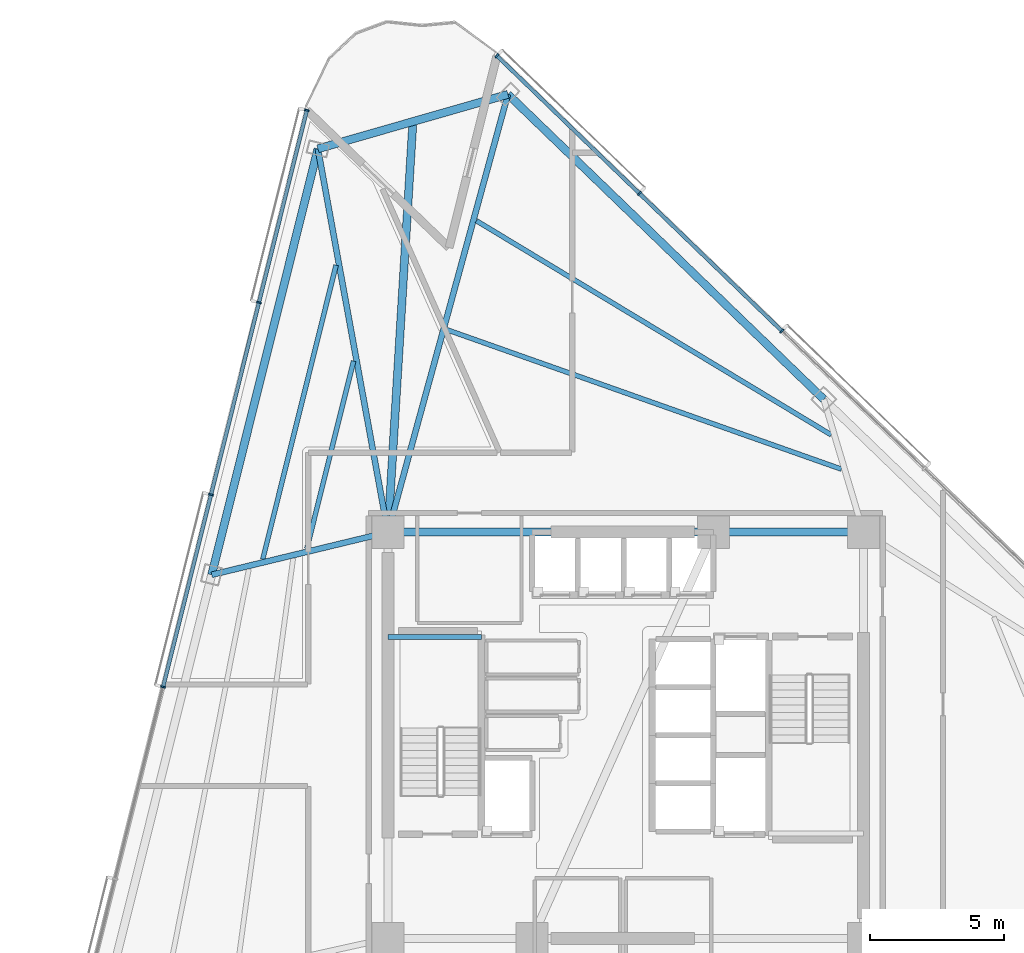
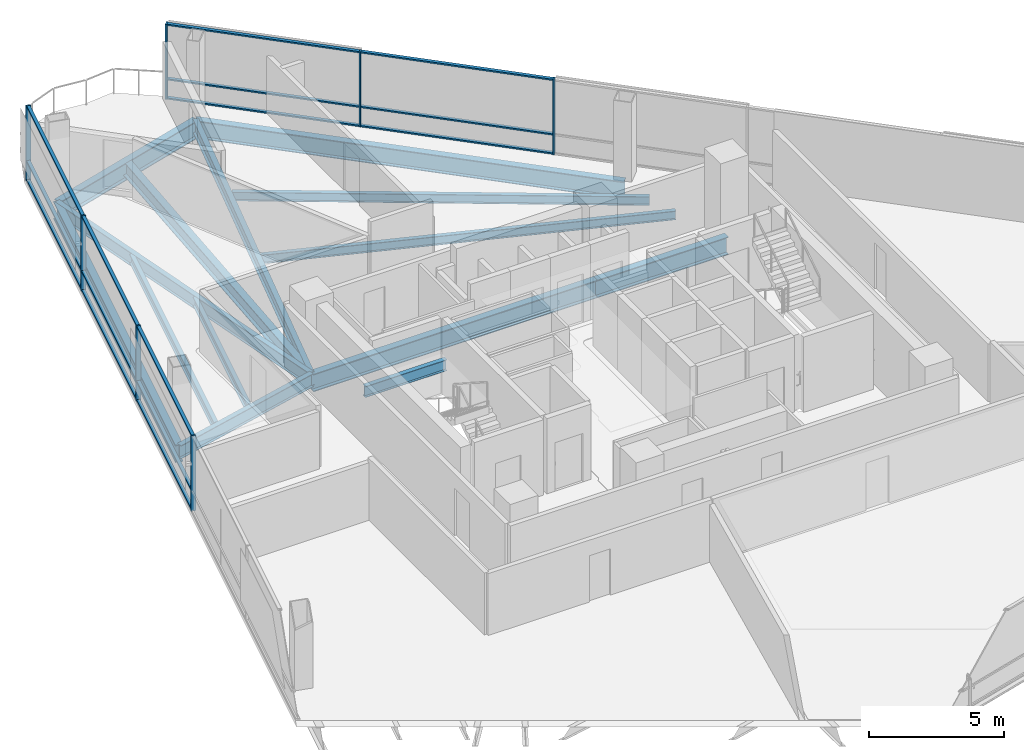
# One storey, part 6 of 16: 22 members, 14 beams, 2 elements without a shape of their own.
"""IFC4 building model written with IfcOpenShell, lengths in metres."""

import ifcopenshell
import ifcopenshell.guid

model = None  # the IFC model being written
_history = None  # IfcOwnerHistory: only IFC2X3 demands one
_inside = {}  # id of a spatial element -> (the spatial element, [elements in it])
_under = {}  # id of a project, library or spatial element -> (it, [spatial elements below it])
_declared = {}  # id of a project -> (the project, [libraries it declares])
_typed = {}  # id of a type object -> (the type object, [elements of that type])
_made_of = {}  # id of a material, layer set ... -> (it, [elements and type objects made of it])


def new_model(schema):
    """Start an empty IFC model of exactly this schema.

    Asked for "IFC4X3", IfcOpenShell would pick the latest addendum, in which some entities
    have other attributes; the version numbers below select the first issue.
    IFC2X3 requires an IfcOwnerHistory on every rooted entity: one is made here for all.
    """
    global model, _history
    if schema == "IFC4X3":
        model = ifcopenshell.file(schema_version=(4, 3, 0, 0))
    else:
        model = ifcopenshell.file(schema=schema)
    _inside.clear()
    _under.clear()
    _declared.clear()
    _typed.clear()
    _made_of.clear()
    _history = None
    if model.schema == "IFC2X3":
        org = make("IfcOrganization", Name="unknown")
        user = make(
            "IfcPersonAndOrganization",
            ThePerson=make("IfcPerson", FamilyName="unknown"),
            TheOrganization=org,
        )
        app = make(
            "IfcApplication",
            ApplicationDeveloper=org,
            Version="unknown",
            ApplicationFullName="unknown",
            ApplicationIdentifier="unknown",
        )
        _history = make(
            "IfcOwnerHistory",
            OwningUser=user,
            OwningApplication=app,
            ChangeAction="ADDED",
            CreationDate=0,
        )
    return model


def make(cls, **values):
    """One entity of the class cls with the attributes given. An attribute that is None is left unset."""
    return model.create_entity(
        cls, **{name: value for name, value in values.items() if value is not None}
    )


def rooted(cls, **values):
    """An entity with a GlobalId (a new one), such as an element, a storey or a relation."""
    return make(cls, GlobalId=ifcopenshell.guid.new(), OwnerHistory=_history, **values)


def si_unit(unit_type, name, prefix=None):
    """IfcSIUnit, for example si_unit("LENGTHUNIT", "METRE", prefix="MILLI")."""
    return make("IfcSIUnit", UnitType=unit_type, Prefix=prefix, Name=name)


def assignment(units):
    """IfcUnitAssignment: the units of a project."""
    return None if units is None else make("IfcUnitAssignment", Units=units)


def point(xyz):
    """IfcCartesianPoint."""
    return None if xyz is None else make("IfcCartesianPoint", Coordinates=xyz)


def direction(xyz):
    """IfcDirection."""
    return None if xyz is None else make("IfcDirection", DirectionRatios=xyz)


def frame(location, z_axis=None, x_axis=None):
    """IfcAxis2Placement3D, a coordinate frame: its origin and axes. An axis left out is left unset."""
    return make(
        "IfcAxis2Placement3D",
        Location=point(location),
        Axis=direction(z_axis),
        RefDirection=direction(x_axis),
    )


def frame_2d(location, x_axis=None):
    """IfcAxis2Placement2D, a coordinate frame in the plane: its origin and x axis."""
    return make(
        "IfcAxis2Placement2D", Location=point(location), RefDirection=direction(x_axis)
    )


def origin():
    """The frame at (0, 0, 0) with its axes left unset."""
    return frame((0.0, 0.0, 0.0))


def origin_2d():
    """The frame at (0, 0) in the plane with its x axis left unset."""
    return frame_2d((0.0, 0.0))


def place(relative_to, where):
    """IfcLocalPlacement: puts the frame where relative to a parent placement (None: the world)."""
    return make(
        "IfcLocalPlacement", PlacementRelTo=relative_to, RelativePlacement=where
    )


def context(
    kind, dimensions, precision=None, world=None, true_north=None, identifier=None
):
    """IfcGeometricRepresentationContext, for example the 3D "Model" context."""
    return make(
        "IfcGeometricRepresentationContext",
        ContextIdentifier=identifier,
        ContextType=kind,
        CoordinateSpaceDimension=dimensions,
        Precision=precision,
        WorldCoordinateSystem=world,
        TrueNorth=true_north,
    )


def subcontext(parent, identifier, kind, view, scale=None):
    """IfcGeometricRepresentationSubContext, for example "Body" below "Model"."""
    return make(
        "IfcGeometricRepresentationSubContext",
        ContextIdentifier=identifier,
        ContextType=kind,
        ParentContext=parent,
        TargetScale=scale,
        TargetView=view,
    )


def project(units=None, contexts=None):
    """IfcProject with its units and contexts."""
    return rooted(
        "IfcProject",
        Name="project",
        RepresentationContexts=contexts,
        UnitsInContext=assignment(units),
    )


def spatial(cls, under=None, at=None, **own):
    """A site, building, storey or space (cls), placed at a placement, below another one or the project."""
    s = rooted(cls, ObjectPlacement=at, **own)
    if under is not None:
        _under.setdefault(under.id(), (under, []))[1].append(s)
    return s


def profile(cls, at=None, kind="AREA", **sizes):
    """A parametric profile (cls). Its sizes go by their IFC names, for example OverallWidth=200.0."""
    return make(cls, ProfileType=kind, Position=at, **sizes)


def rectangle(**sizes):
    """IfcRectangleProfileDef."""
    return profile("IfcRectangleProfileDef", **sizes)


def i_section(**sizes):
    """IfcIShapeProfileDef."""
    return profile("IfcIShapeProfileDef", **sizes)


def extrude(swept, where, along, depth):
    """IfcExtrudedAreaSolid: the profile swept, set in the frame where, extruded along a direction by depth."""
    return make(
        "IfcExtrudedAreaSolid",
        SweptArea=swept,
        Position=where,
        ExtrudedDirection=direction(along),
        Depth=depth,
    )


def shape(context_of_items, identifier, shape_type, items):
    """IfcShapeRepresentation: the items that make up one representation, for example the "Body"."""
    return make(
        "IfcShapeRepresentation",
        ContextOfItems=context_of_items,
        RepresentationIdentifier=identifier,
        RepresentationType=shape_type,
        Items=items,
    )


def material(Name=None, Category=None):
    """IfcMaterial."""
    return make("IfcMaterial", Name=Name, Category=Category)


def layer(
    of_material, thickness, ventilated=None, Name=None, Category=None, Priority=None
):
    """IfcMaterialLayer: one layer of a wall or slab, of a material (None: an air gap)."""
    return make(
        "IfcMaterialLayer",
        Material=of_material,
        LayerThickness=thickness,
        IsVentilated=ventilated,
        Name=Name,
        Category=Category,
        Priority=Priority,
    )


def layer_set(layers, Name=None):
    """IfcMaterialLayerSet."""
    return make("IfcMaterialLayerSet", MaterialLayers=layers, LayerSetName=Name)


def material_profile(
    of_material, cross_section, Name=None, Category=None, Priority=None
):
    """IfcMaterialProfile: a cross section and its material."""
    return make(
        "IfcMaterialProfile",
        Name=Name,
        Material=of_material,
        Profile=cross_section,
        Priority=Priority,
        Category=Category,
    )


def profile_set(profiles, Name=None, composite=None):
    """IfcMaterialProfileSet."""
    return make(
        "IfcMaterialProfileSet",
        Name=Name,
        MaterialProfiles=profiles,
        CompositeProfile=composite,
    )


def made_of(thing, what):
    """Note that an element or type object is made of a material, layer set ...; save() writes the relation."""
    if what is not None:
        _made_of.setdefault(what.id(), (what, []))[1].append(thing)
    return thing


def type_object(cls, material=None, **own):
    """A type object (cls), such as IfcWallType, which elements share."""
    return made_of(rooted(cls, **own), material)


def element(
    cls,
    number,
    at=None,
    inside=None,
    cuts=None,
    type_object=None,
    material=None,
    context=None,
    identifier="Body",
    shape_type=None,
    held_by="IfcProductDefinitionShape",
    body=None,
    shapes=None,
    **own,
):
    """One element of the class cls, such as IfcWall. Its Tag is "e" and its number.

    at: its placement. inside: the storey or other place that contains it. cuts: it is an
    opening in that element (IfcRelVoidsElement). A single representation is given by context,
    identifier, shape_type and body (its items); several are given by shapes. held_by: the class
    of the entity that holds the representations. save() writes the other relations.
    """
    e = rooted(cls, Tag="e%d" % number, ObjectPlacement=at, **own)
    if body is not None:
        shapes = [shape(context, identifier, shape_type, body)]
    if shapes is not None:
        e.Representation = make(held_by, Representations=shapes)
    if inside is not None:
        _inside.setdefault(inside.id(), (inside, []))[1].append(e)
    if cuts is not None:
        rooted(
            "IfcRelVoidsElement", RelatingBuildingElement=cuts, RelatedOpeningElement=e
        )
    if type_object is not None:
        _typed.setdefault(type_object.id(), (type_object, []))[1].append(e)
    return made_of(e, material)


def aggregate(whole, parts):
    """IfcRelAggregates: a whole, such as a stair, and the parts it consists of."""
    return rooted("IfcRelAggregates", RelatingObject=whole, RelatedObjects=parts)


def save(model, path):
    """Write the relations noted so far, then the file.

    IfcRelAggregates (storeys below a building ...), IfcRelContainedInSpatialStructure (elements
    in a storey), IfcRelDefinesByType, IfcRelAssociatesMaterial and IfcRelDeclares: one each for
    every whole, place, type object, material and project.
    """
    for whole, parts in _under.values():
        aggregate(whole, parts)
    for where, things in _inside.values():
        rooted(
            "IfcRelContainedInSpatialStructure",
            RelatedElements=things,
            RelatingStructure=where,
        )
    for kind, things in _typed.values():
        rooted("IfcRelDefinesByType", RelatedObjects=things, RelatingType=kind)
    for what, things in _made_of.values():
        rooted("IfcRelAssociatesMaterial", RelatedObjects=things, RelatingMaterial=what)
    for by, libraries in _declared.values():
        rooted("IfcRelDeclares", RelatingContext=by, RelatedDefinitions=libraries)
    model.write(path)


model = new_model("IFC4")

# Units and contexts
model_context = context("Model", 3, precision=1e-05, world=origin(), true_north=direction((0.0, 1.0)))
body_context = subcontext(model_context, "Body", "Model", "MODEL_VIEW")
ifc_project = project(units=[si_unit("LENGTHUNIT", "METRE"), si_unit("AREAUNIT", "SQUARE_METRE"), si_unit("VOLUMEUNIT", "CUBIC_METRE"), si_unit("PLANEANGLEUNIT", "RADIAN"), si_unit("MASSUNIT", "GRAM", prefix="KILO")], contexts=[model_context])

# Site, building, storey
site_placement = place(None, origin())
site = spatial("IfcSite", under=ifc_project, at=site_placement, CompositionType="ELEMENT")
building_placement = place(site_placement, origin())
building = spatial("IfcBuilding", under=site, at=building_placement, Name="Tharavind Bronze Gate", CompositionType="ELEMENT")
storey_placement = place(building_placement, frame((0.0, 0.0, 104.10009765625)))
storey = spatial("IfcBuildingStorey", under=building, at=storey_placement, Name="L26", CompositionType="ELEMENT", Elevation=104.10009765625)

# Curtain wall, members
ifc_material_1 = material(Name="Anodised Bronze Aluminium", Category="aluminium")
ifc_layer = layer(ifc_material_1, 0.219970703125)
ifc_layer_set = layer_set([ifc_layer], Name="Anodised Bronze Aluminium")
curtain_wall_type = type_object("IfcCurtainWallType", Name="UNITISED CURTAIN WALL LOWER OFFICE", PredefinedType="USERDEFINED", material=ifc_layer_set)
curtain_wall_1_placement = place(storey_placement, origin())
curtain_wall_1 = element("IfcCurtainWall", 1, at=curtain_wall_1_placement, inside=storey, type_object=curtain_wall_type, Name="L26 unitised curtain wall lower office CW-L26-S1", ObjectType="UNITISED CURTAIN WALL", PredefinedType="USERDEFINED")
member_type_1 = type_object("IfcMemberType", Name="CURTAIN WALL BRONZE MULLION 65X180", PredefinedType="MULLION", material=ifc_material_1)
member_1_placement = place(storey_placement, frame((-11.93359375, 23.394287109375, 0.0), z_axis=(0.0, 0.0, 1.0), x_axis=(-0.2419218956, -0.970295726276, 0.0)))
member_1 = element("IfcMember", 2, at=member_1_placement, type_object=member_type_1, Name="CW-L26-S1 mullion 1", PredefinedType="MULLION", context=body_context, shape_type="SweptSolid", body=[
    extrude(rectangle(XDim=0.06494140625, YDim=0.179931640625, at=origin_2d()), origin(), (0.0, 0.0, 1.0), 3.409912109375),
])
member_2_placement = place(storey_placement, frame((-13.727294921875, 16.2001953125, 0.0), z_axis=(0.0, 0.0, 1.0), x_axis=(-0.2419218956, -0.970295726276, 0.0)))
member_2 = element("IfcMember", 3, at=member_2_placement, type_object=member_type_1, Name="CW-L26-S1 mullion 2", PredefinedType="MULLION", context=body_context, shape_type="SweptSolid", body=[
    extrude(rectangle(XDim=0.06494140625, YDim=0.179931640625, at=origin_2d()), origin(), (0.0, 0.0, 1.0), 3.409912109375),
])
member_3_placement = place(storey_placement, frame((-15.52099609375, 9.00634765625, 0.0), z_axis=(0.0, 0.0, 1.0), x_axis=(-0.2419218956, -0.970295726276, 0.0)))
member_3 = element("IfcMember", 4, at=member_3_placement, type_object=member_type_1, Name="CW-L26-S1 mullion 3", PredefinedType="MULLION", context=body_context, shape_type="SweptSolid", body=[
    extrude(rectangle(XDim=0.06494140625, YDim=0.179931640625, at=origin_2d()), origin(), (0.0, 0.0, 1.0), 3.409912109375),
])
member_4_placement = place(storey_placement, frame((-17.314697265625, 1.812255859375, 0.0), z_axis=(0.0, 0.0, 1.0), x_axis=(-0.2419218956, -0.970295726276, 0.0)))
member_4 = element("IfcMember", 5, at=member_4_placement, type_object=member_type_1, Name="CW-L26-S1 mullion 4", PredefinedType="MULLION", context=body_context, shape_type="SweptSolid", body=[
    extrude(rectangle(XDim=0.06494140625, YDim=0.179931640625, at=origin_2d()), origin(), (0.0, 0.0, 1.0), 3.409912109375),
])

curtain_wall_2_placement = place(storey_placement, origin())
curtain_wall_2 = element("IfcCurtainWall", 6, at=curtain_wall_2_placement, inside=storey, type_object=curtain_wall_type, Name="L26 unitised curtain wall lower office CW-L26-S3", ObjectType="UNITISED CURTAIN WALL", PredefinedType="USERDEFINED")
member_5_placement = place(storey_placement, frame((5.84619140625, 15.13330078125, 0.0), z_axis=(0.0, 0.0, 1.0), x_axis=(-0.719341012745, 0.694657114973, 0.0)))
member_5 = element("IfcMember", 7, at=member_5_placement, type_object=member_type_1, Name="CW-L26-S3 mullion 6", PredefinedType="MULLION", context=body_context, shape_type="SweptSolid", body=[
    extrude(rectangle(XDim=0.06494140625, YDim=0.179931640625, at=origin_2d()), origin(), (0.0, 0.0, 1.0), 3.409912109375),
])
member_6_placement = place(storey_placement, frame((0.512939453125, 20.28369140625, 0.0), z_axis=(0.0, 0.0, 1.0), x_axis=(-0.719341012745, 0.694657114973, 0.0)))
member_6 = element("IfcMember", 8, at=member_6_placement, type_object=member_type_1, Name="CW-L26-S3 mullion 7", PredefinedType="MULLION", context=body_context, shape_type="SweptSolid", body=[
    extrude(rectangle(XDim=0.06494140625, YDim=0.179931640625, at=origin_2d()), origin(), (0.0, 0.0, 1.0), 3.409912109375),
])
member_7_placement = place(storey_placement, frame((-4.8203125, 25.433837890625, 0.0), z_axis=(0.0, 0.0, 1.0), x_axis=(-0.719341012745, 0.694657114973, 0.0)))
member_7 = element("IfcMember", 9, at=member_7_placement, type_object=member_type_1, Name="CW-L26-S3 mullion 8", PredefinedType="MULLION", context=body_context, shape_type="SweptSolid", body=[
    extrude(rectangle(XDim=0.06494140625, YDim=0.179931640625, at=origin_2d()), origin(), (0.0, 0.0, 1.0), 3.409912109375),
])

# Member
member_type_2 = type_object("IfcMemberType", Name="CURTAIN WALL BRONZE TRANSOM 65X140", PredefinedType="USERDEFINED", material=ifc_material_1)
member_8_placement = place(storey_placement, frame((-12.83056640625, 19.797119140625, 0.0), z_axis=(0.0, 0.0, 1.0), x_axis=(-0.2419218956, -0.970295726276, 0.0)))
member_8 = element("IfcMember", 10, at=member_8_placement, type_object=member_type_2, Name="CW-L26-S1 transom TB1", ObjectType="TRANSOM", PredefinedType="USERDEFINED", context=body_context, shape_type="SweptSolid", body=[
    extrude(rectangle(XDim=7.361083984375, YDim=0.139892578125, at=origin_2d()), origin(), (0.0, 0.0, 1.0), 0.06494140625),
])

member_9_placement = place(storey_placement, frame((-12.83056640625, 19.797119140625, 0.867431640625), z_axis=(0.0, 0.0, 1.0), x_axis=(-0.2419218956, -0.970295726276, 0.0)))
member_9 = element("IfcMember", 11, at=member_9_placement, type_object=member_type_2, Name="CW-L26-S1 transom TS1", ObjectType="TRANSOM", PredefinedType="USERDEFINED", context=body_context, shape_type="SweptSolid", body=[
    extrude(rectangle(XDim=7.361083984375, YDim=0.139892578125, at=origin_2d()), origin(), (0.0, 0.0, 1.0), 0.06494140625),
])

member_10_placement = place(storey_placement, frame((-12.83056640625, 19.797119140625, 3.344970703125), z_axis=(0.0, 0.0, 1.0), x_axis=(-0.2419218956, -0.970295726276, 0.0)))
member_10 = element("IfcMember", 12, at=member_10_placement, type_object=member_type_2, Name="CW-L26-S1 transom TT1", ObjectType="TRANSOM", PredefinedType="USERDEFINED", context=body_context, shape_type="SweptSolid", body=[
    extrude(rectangle(XDim=7.361083984375, YDim=0.139892578125, at=origin_2d()), origin(), (0.0, 0.0, 1.0), 0.06494140625),
])

member_11_placement = place(storey_placement, frame((-14.624267578125, 12.603271484375, 0.0), z_axis=(0.0, 0.0, 1.0), x_axis=(-0.2419218956, -0.970295726276, 0.0)))
member_11 = element("IfcMember", 13, at=member_11_placement, type_object=member_type_2, Name="CW-L26-S1 transom TB2", ObjectType="TRANSOM", PredefinedType="USERDEFINED", context=body_context, shape_type="SweptSolid", body=[
    extrude(rectangle(XDim=7.361083984375, YDim=0.139892578125, at=origin_2d()), origin(), (0.0, 0.0, 1.0), 0.06494140625),
])

member_12_placement = place(storey_placement, frame((-14.624267578125, 12.603271484375, 0.867431640625), z_axis=(0.0, 0.0, 1.0), x_axis=(-0.2419218956, -0.970295726276, 0.0)))
member_12 = element("IfcMember", 14, at=member_12_placement, type_object=member_type_2, Name="CW-L26-S1 transom TS2", ObjectType="TRANSOM", PredefinedType="USERDEFINED", context=body_context, shape_type="SweptSolid", body=[
    extrude(rectangle(XDim=7.361083984375, YDim=0.139892578125, at=origin_2d()), origin(), (0.0, 0.0, 1.0), 0.06494140625),
])

member_13_placement = place(storey_placement, frame((-14.624267578125, 12.603271484375, 3.344970703125), z_axis=(0.0, 0.0, 1.0), x_axis=(-0.2419218956, -0.970295726276, 0.0)))
member_13 = element("IfcMember", 15, at=member_13_placement, type_object=member_type_2, Name="CW-L26-S1 transom TT2", ObjectType="TRANSOM", PredefinedType="USERDEFINED", context=body_context, shape_type="SweptSolid", body=[
    extrude(rectangle(XDim=7.361083984375, YDim=0.139892578125, at=origin_2d()), origin(), (0.0, 0.0, 1.0), 0.06494140625),
])

member_14_placement = place(storey_placement, frame((-16.417724609375, 5.4091796875, 0.0), z_axis=(0.0, 0.0, 1.0), x_axis=(-0.2419218956, -0.970295726276, 0.0)))
member_14 = element("IfcMember", 16, at=member_14_placement, type_object=member_type_2, Name="CW-L26-S1 transom TB3", ObjectType="TRANSOM", PredefinedType="USERDEFINED", context=body_context, shape_type="SweptSolid", body=[
    extrude(rectangle(XDim=7.361083984375, YDim=0.139892578125, at=origin_2d()), origin(), (0.0, 0.0, 1.0), 0.06494140625),
])

member_15_placement = place(storey_placement, frame((-16.417724609375, 5.4091796875, 0.867431640625), z_axis=(0.0, 0.0, 1.0), x_axis=(-0.2419218956, -0.970295726276, 0.0)))
member_15 = element("IfcMember", 17, at=member_15_placement, type_object=member_type_2, Name="CW-L26-S1 transom TS3", ObjectType="TRANSOM", PredefinedType="USERDEFINED", context=body_context, shape_type="SweptSolid", body=[
    extrude(rectangle(XDim=7.361083984375, YDim=0.139892578125, at=origin_2d()), origin(), (0.0, 0.0, 1.0), 0.06494140625),
])

member_16_placement = place(storey_placement, frame((-16.417724609375, 5.4091796875, 3.344970703125), z_axis=(0.0, 0.0, 1.0), x_axis=(-0.2419218956, -0.970295726276, 0.0)))
member_16 = element("IfcMember", 18, at=member_16_placement, type_object=member_type_2, Name="CW-L26-S1 transom TT3", ObjectType="TRANSOM", PredefinedType="USERDEFINED", context=body_context, shape_type="SweptSolid", body=[
    extrude(rectangle(XDim=7.361083984375, YDim=0.139892578125, at=origin_2d()), origin(), (0.0, 0.0, 1.0), 0.06494140625),
])

aggregate(curtain_wall_1, [member_1, member_2, member_3, member_4, member_8, member_9, member_10, member_11, member_12, member_13, member_14, member_15, member_16])

member_17_placement = place(storey_placement, frame((3.1796875, 17.70849609375, 0.0), z_axis=(0.0, 0.0, 1.0), x_axis=(-0.719341012745, 0.694657114973, 0.0)))
member_17 = element("IfcMember", 19, at=member_17_placement, type_object=member_type_2, Name="CW-L26-S3 transom TB6", ObjectType="TRANSOM", PredefinedType="USERDEFINED", context=body_context, shape_type="SweptSolid", body=[
    extrude(rectangle(XDim=7.361083984375, YDim=0.139892578125, at=origin_2d()), origin(), (0.0, 0.0, 1.0), 0.06494140625),
])

member_18_placement = place(storey_placement, frame((3.1796875, 17.70849609375, 0.867431640625), z_axis=(0.0, 0.0, 1.0), x_axis=(-0.719341012745, 0.694657114973, 0.0)))
member_18 = element("IfcMember", 20, at=member_18_placement, type_object=member_type_2, Name="CW-L26-S3 transom TS6", ObjectType="TRANSOM", PredefinedType="USERDEFINED", context=body_context, shape_type="SweptSolid", body=[
    extrude(rectangle(XDim=7.361083984375, YDim=0.139892578125, at=origin_2d()), origin(), (0.0, 0.0, 1.0), 0.06494140625),
])

member_19_placement = place(storey_placement, frame((3.1796875, 17.70849609375, 3.344970703125), z_axis=(0.0, 0.0, 1.0), x_axis=(-0.719341012745, 0.694657114973, 0.0)))
member_19 = element("IfcMember", 21, at=member_19_placement, type_object=member_type_2, Name="CW-L26-S3 transom TT6", ObjectType="TRANSOM", PredefinedType="USERDEFINED", context=body_context, shape_type="SweptSolid", body=[
    extrude(rectangle(XDim=7.361083984375, YDim=0.139892578125, at=origin_2d()), origin(), (0.0, 0.0, 1.0), 0.06494140625),
])

member_20_placement = place(storey_placement, frame((-2.15380859375, 22.858642578125, 0.0), z_axis=(0.0, 0.0, 1.0), x_axis=(-0.719341012745, 0.694657114973, 0.0)))
member_20 = element("IfcMember", 22, at=member_20_placement, type_object=member_type_2, Name="CW-L26-S3 transom TB7", ObjectType="TRANSOM", PredefinedType="USERDEFINED", context=body_context, shape_type="SweptSolid", body=[
    extrude(rectangle(XDim=7.361083984375, YDim=0.139892578125, at=origin_2d()), origin(), (0.0, 0.0, 1.0), 0.06494140625),
])

member_21_placement = place(storey_placement, frame((-2.15380859375, 22.858642578125, 0.867431640625), z_axis=(0.0, 0.0, 1.0), x_axis=(-0.719341012745, 0.694657114973, 0.0)))
member_21 = element("IfcMember", 23, at=member_21_placement, type_object=member_type_2, Name="CW-L26-S3 transom TS7", ObjectType="TRANSOM", PredefinedType="USERDEFINED", context=body_context, shape_type="SweptSolid", body=[
    extrude(rectangle(XDim=7.361083984375, YDim=0.139892578125, at=origin_2d()), origin(), (0.0, 0.0, 1.0), 0.06494140625),
])

member_22_placement = place(storey_placement, frame((-2.15380859375, 22.858642578125, 3.344970703125), z_axis=(0.0, 0.0, 1.0), x_axis=(-0.719341012745, 0.694657114973, 0.0)))
member_22 = element("IfcMember", 24, at=member_22_placement, type_object=member_type_2, Name="CW-L26-S3 transom TT7", ObjectType="TRANSOM", PredefinedType="USERDEFINED", context=body_context, shape_type="SweptSolid", body=[
    extrude(rectangle(XDim=7.361083984375, YDim=0.139892578125, at=origin_2d()), origin(), (0.0, 0.0, 1.0), 0.06494140625),
])

aggregate(curtain_wall_2, [member_5, member_6, member_7, member_17, member_18, member_19, member_20, member_21, member_22])

# Beams
ifc_material_2 = material(Name="Steel S355", Category="steel")
ifc_material_profile_1 = material_profile(ifc_material_2, i_section(OverallWidth=0.300048828125, OverallDepth=0.64990234375, WebThickness=0.01611328125, FlangeThickness=0.031005859375, at=origin_2d()), Name="HE650B")
ifc_profile_set_1 = profile_set([ifc_material_profile_1], Name="Steel S355")
beam_type_1 = type_object("IfcBeamType", Name="PRIMARY GIRDER HE650B", PredefinedType="USERDEFINED", material=ifc_profile_set_1)
beam_1_placement = place(storey_placement, frame((-8.89990234375, 7.60009765625, -0.51513671875), z_axis=(0.060795156935, 0.998150263684, 0.0), x_axis=(-0.998150263684, 0.060795156935, 0.0)))
element("IfcBeam", 25, at=beam_1_placement, inside=storey, type_object=beam_type_1, Name="L26 primary girder he650b BM-L26-BLCSB", ObjectType="GIRDER", PredefinedType="USERDEFINED", context=body_context, shape_type="SweptSolid", body=[
    extrude(i_section(OverallWidth=0.300048828125, OverallDepth=0.64990234375, WebThickness=0.01611328125, FlangeThickness=0.031005859375, at=origin_2d()), origin(), (0.0, 0.0, 1.0), 15.400634765625),
])
ifc_material_profile_2 = material_profile(ifc_material_2, i_section(OverallWidth=0.199951171875, OverallDepth=0.5, WebThickness=0.01025390625, FlangeThickness=0.01611328125, at=origin_2d()), Name="IPE500")
ifc_profile_set_2 = profile_set([ifc_material_profile_2], Name="Steel S355")
beam_type_2 = type_object("IfcBeamType", Name="PRIMARY GIRDER IPE500", PredefinedType="USERDEFINED", material=ifc_profile_set_2)
beam_2_placement = place(storey_placement, frame((-8.89990234375, 3.679931640625, 1.349853515625), z_axis=(1.0, 0.0, 0.0), x_axis=(0.0, 1.0, 0.0)))
element("IfcBeam", 26, at=beam_2_placement, inside=storey, type_object=beam_type_2, Name="L26 primary girder ipe500 BM-LD-ST1-L26-1", ObjectType="GIRDER", PredefinedType="USERDEFINED", context=body_context, shape_type="SweptSolid", body=[
    extrude(i_section(OverallWidth=0.199951171875, OverallDepth=0.5, WebThickness=0.01025390625, FlangeThickness=0.01611328125, at=origin_2d()), origin(), (0.0, 0.0, 1.0), 3.5),
])
ifc_material_profile_3 = material_profile(ifc_material_2, i_section(OverallWidth=0.219970703125, OverallDepth=0.60009765625, WebThickness=0.011962890625, FlangeThickness=0.01904296875, at=origin_2d()), Name="IPE600")
ifc_profile_set_3 = profile_set([ifc_material_profile_3], Name="Steel S355")
beam_type_3 = type_object("IfcBeamType", Name="PRIMARY GIRDER IPE600", PredefinedType="USERDEFINED", material=ifc_profile_set_3)
beam_3_placement = place(storey_placement, frame((-11.520263671875, 21.952392578125, -0.489990234375), z_axis=(0.179605485625, -0.983738720156, 0.0), x_axis=(0.983738720156, 0.179605485625, 0.0)))
element("IfcBeam", 27, at=beam_3_placement, inside=storey, type_object=beam_type_3, Name="L26 primary girder ipe600 BM-L26-RAD01", ObjectType="GIRDER", PredefinedType="USERDEFINED", context=body_context, shape_type="SweptSolid", body=[
    extrude(i_section(OverallWidth=0.219970703125, OverallDepth=0.60009765625, WebThickness=0.011962890625, FlangeThickness=0.01904296875, at=origin_2d()), origin(), (0.0, 0.0, 1.0), 14.589599609375),
])
beam_4_placement = place(storey_placement, frame((-15.495849609375, 6.006591796875, -0.489990234375), z_axis=(0.972035781116, 0.234832792069, 0.0), x_axis=(-0.234832792069, 0.972035781116, 0.0)))
element("IfcBeam", 28, at=beam_4_placement, inside=storey, type_object=beam_type_3, Name="L26 primary girder ipe600 BM-L26-RAD02", ObjectType="GIRDER", PredefinedType="USERDEFINED", context=body_context, shape_type="SweptSolid", body=[
    extrude(i_section(OverallWidth=0.219970703125, OverallDepth=0.60009765625, WebThickness=0.011962890625, FlangeThickness=0.01904296875, at=origin_2d()), origin(), (0.0, 0.0, 1.0), 6.78564453125),
])
beam_5_placement = place(storey_placement, frame((-4.406982421875, 23.9921875, -0.489990234375), z_axis=(-0.26434111933, -0.964429247084, 0.0), x_axis=(0.964429247084, -0.26434111933, 0.0)))
element("IfcBeam", 29, at=beam_5_placement, inside=storey, type_object=beam_type_3, Name="L26 primary girder ipe600 BM-L26-RAD12", ObjectType="GIRDER", PredefinedType="USERDEFINED", context=body_context, shape_type="SweptSolid", body=[
    extrude(i_section(OverallWidth=0.219970703125, OverallDepth=0.60009765625, WebThickness=0.011962890625, FlangeThickness=0.01904296875, at=origin_2d()), origin(), (0.0, 0.0, 1.0), 16.99658203125),
])
ifc_material_profile_4 = material_profile(ifc_material_2, i_section(OverallWidth=0.300048828125, OverallDepth=0.800048828125, WebThickness=0.017578125, FlangeThickness=0.032958984375, at=origin_2d()), Name="HE800B")
ifc_profile_set_4 = profile_set([ifc_material_profile_4], Name="Steel S355")
beam_type_4 = type_object("IfcBeamType", Name="RING GIRDER HE800B", PredefinedType="USERDEFINED", material=ifc_profile_set_4)
beam_6_placement = place(storey_placement, frame((8.89990234375, 7.60009765625, -0.590087890625), z_axis=(-1.0, 0.0, 0.0), x_axis=(0.0, -1.0, 0.0)))
element("IfcBeam", 30, at=beam_6_placement, inside=storey, type_object=beam_type_4, Name="L26 ring girder he800b BM-L26-CR4", ObjectType="GIRDER", PredefinedType="USERDEFINED", context=body_context, shape_type="SweptSolid", body=[
    extrude(i_section(OverallWidth=0.300048828125, OverallDepth=0.800048828125, WebThickness=0.017578125, FlangeThickness=0.032958984375, at=origin_2d()), origin(), (0.0, 0.0, 1.0), 5.619873046875),
])
beam_7_placement = place(storey_placement, frame((3.280029296875, 7.60009765625, -0.590087890625), z_axis=(-1.0, 0.0, 0.0), x_axis=(0.0, -1.0, 0.0)))
element("IfcBeam", 31, at=beam_7_placement, inside=storey, type_object=beam_type_4, Name="L26 ring girder he800b BM-L26-CR5", ObjectType="GIRDER", PredefinedType="USERDEFINED", context=body_context, shape_type="SweptSolid", body=[
    extrude(i_section(OverallWidth=0.300048828125, OverallDepth=0.800048828125, WebThickness=0.017578125, FlangeThickness=0.032958984375, at=origin_2d()), origin(), (0.0, 0.0, 1.0), 12.179931640625),
])
for number, where, z_axis, x_axis, name in (
    (32, (-11.520263671875, 21.952392578125, -0.590087890625), (-0.241913375366, -0.970297850569, 0.0), (0.970297850569, -0.241913375366, 0.0), "L26 ring girder he800b BM-L26-PRG01"),
    (33, (7.41455078125, 12.576171875, -0.590087890625), (-0.719336950964, 0.694661321061, 0.0), (-0.694661321061, -0.719336950964, 0.0), "L26 ring girder he800b BM-L26-PRG11"),
):
    element("IfcBeam", number, at=place(storey_placement, frame(where, z_axis=z_axis, x_axis=x_axis)), inside=storey, type_object=beam_type_4, Name=name, ObjectType="GIRDER", PredefinedType="USERDEFINED", context=body_context, shape_type="SweptSolid", body=[
        extrude(i_section(OverallWidth=0.300048828125, OverallDepth=0.800048828125, WebThickness=0.017578125, FlangeThickness=0.032958984375, at=origin_2d()), origin(), (0.0, 0.0, 1.0), 16.433837890625),
    ])
beam_8_placement = place(storey_placement, frame((-4.406982421875, 23.9921875, -0.590087890625), z_axis=(-0.961258317766, -0.275649136633, 0.0), x_axis=(0.275649136633, -0.961258317766, 0.0)))
element("IfcBeam", 34, at=beam_8_placement, inside=storey, type_object=beam_type_4, Name="L26 ring girder he800b BM-L26-PRG12", ObjectType="GIRDER", PredefinedType="USERDEFINED", context=body_context, shape_type="SweptSolid", body=[
    extrude(i_section(OverallWidth=0.300048828125, OverallDepth=0.800048828125, WebThickness=0.017578125, FlangeThickness=0.032958984375, at=origin_2d()), origin(), (0.0, 0.0, 1.0), 7.39990234375),
])
ifc_material_profile_5 = material_profile(ifc_material_2, i_section(OverallWidth=0.179931640625, OverallDepth=0.39990234375, WebThickness=0.008544921875, FlangeThickness=0.013427734375, at=origin_2d()), Name="IPE400")
ifc_profile_set_5 = profile_set([ifc_material_profile_5], Name="Steel S355")
beam_type_5 = type_object("IfcBeamType", Name="SECONDARY FLOOR JOIST IPE400", PredefinedType="JOIST", material=ifc_profile_set_5)
beam_9_placement = place(storey_placement, frame((-10.183837890625, 14.010986328125, -0.39013671875), z_axis=(-0.241924860908, -0.970294986937, 0.0), x_axis=(0.970294986937, -0.241924860908, 0.0)))
element("IfcBeam", 35, at=beam_9_placement, inside=storey, type_object=beam_type_5, Name="L26 secondary floor joist ipe400 BM-L26-JSTA01", PredefinedType="JOIST", context=body_context, shape_type="SweptSolid", body=[
    extrude(i_section(OverallWidth=0.179931640625, OverallDepth=0.39990234375, WebThickness=0.008544921875, FlangeThickness=0.013427734375, at=origin_2d()), origin(), (0.0, 0.0, 1.0), 7.24267578125),
])
beam_10_placement = place(storey_placement, frame((-10.839111328125, 17.59912109375, -0.39013671875), z_axis=(-0.241923228162, -0.97029539403, 0.0), x_axis=(0.97029539403, -0.241923228162, 0.0)))
element("IfcBeam", 36, at=beam_10_placement, inside=storey, type_object=beam_type_5, Name="L26 secondary floor joist ipe400 BM-L26-JSTB01", PredefinedType="JOIST", context=body_context, shape_type="SweptSolid", body=[
    extrude(i_section(OverallWidth=0.179931640625, OverallDepth=0.39990234375, WebThickness=0.008544921875, FlangeThickness=0.013427734375, at=origin_2d()), origin(), (0.0, 0.0, 1.0), 11.35107421875),
])
beam_11_placement = place(storey_placement, frame((8.0771484375, 9.960693359375, -0.39013671875), z_axis=(-0.942851952472, 0.333211938141, 0.0), x_axis=(-0.333211938141, -0.942851952472, 0.0)))
element("IfcBeam", 37, at=beam_11_placement, inside=storey, type_object=beam_type_5, Name="L26 secondary floor joist ipe400 BM-L26-JSTA11", PredefinedType="JOIST", context=body_context, shape_type="SweptSolid", body=[
    extrude(i_section(OverallWidth=0.179931640625, OverallDepth=0.39990234375, WebThickness=0.008544921875, FlangeThickness=0.013427734375, at=origin_2d()), origin(), (0.0, 0.0, 1.0), 15.67578125),
])
beam_12_placement = place(storey_placement, frame((7.694580078125, 11.244384765625, -0.39013671875), z_axis=(-0.856169414419, 0.516695203977, 0.0), x_axis=(-0.516695203977, -0.856169414419, 0.0)))
element("IfcBeam", 38, at=beam_12_placement, inside=storey, type_object=beam_type_5, Name="L26 secondary floor joist ipe400 BM-L26-JSTB11", PredefinedType="JOIST", context=body_context, shape_type="SweptSolid", body=[
    extrude(i_section(OverallWidth=0.179931640625, OverallDepth=0.39990234375, WebThickness=0.008544921875, FlangeThickness=0.013427734375, at=origin_2d()), origin(), (0.0, 0.0, 1.0), 15.51171875),
])

save(model, "model.ifc")
